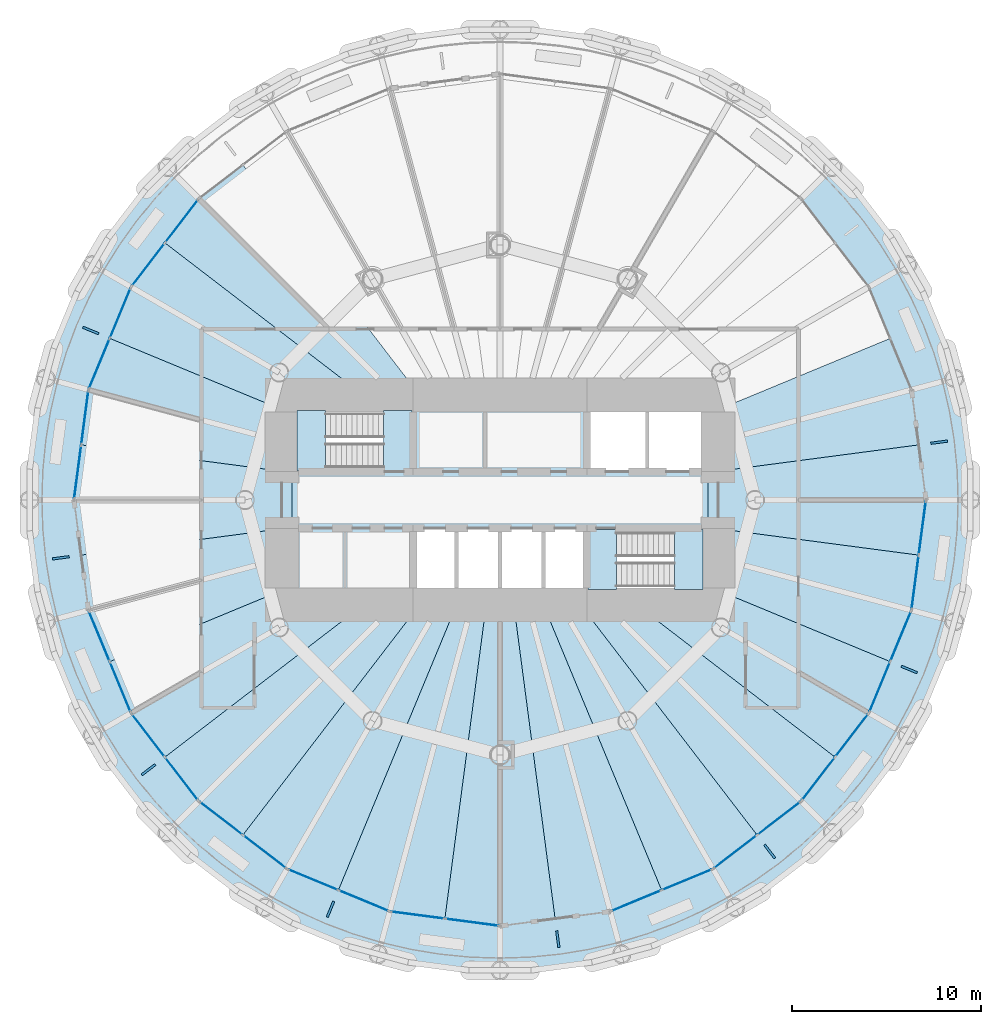
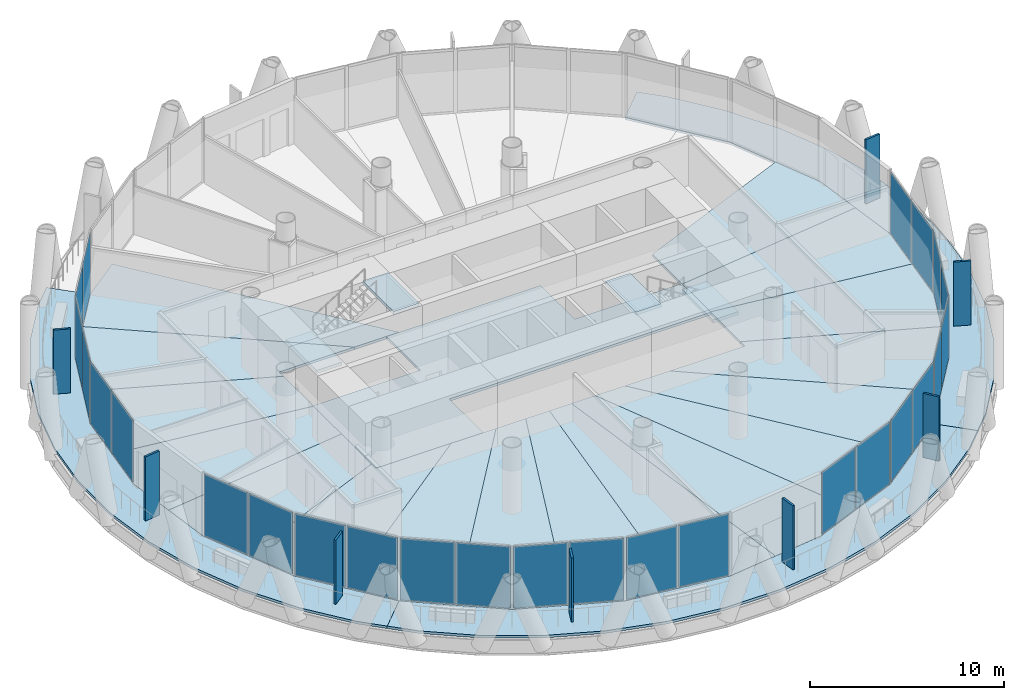
# One storey, part 8 of 16: 34 plates, 25 slabs, 15 elements without a shape of their own.
"""IFC4 building model written with IfcOpenShell, lengths in metres."""

from ifc_helpers import new_model, si_unit, direction, frame, origin, origin_2d, place, context, subcontext, project, spatial, polyline, rectangle, outline, extrude, material, layer, layer_set, type_object, element, aggregate, save


model = new_model("IFC4")

# Units and contexts
model_context = context("Model", 3, precision=1e-05, world=origin(), true_north=direction((0.0, 1.0)))
body_context = subcontext(model_context, "Body", "Model", "MODEL_VIEW")
ifc_project = project(units=[si_unit("LENGTHUNIT", "METRE"), si_unit("AREAUNIT", "SQUARE_METRE"), si_unit("VOLUMEUNIT", "CUBIC_METRE"), si_unit("PLANEANGLEUNIT", "RADIAN"), si_unit("MASSUNIT", "GRAM", prefix="KILO")], contexts=[model_context])

# Site, building, storey
site_placement = place(None, origin())
site = spatial("IfcSite", under=ifc_project, at=site_placement, CompositionType="ELEMENT")
building_placement = place(site_placement, origin())
building = spatial("IfcBuilding", under=site, at=building_placement, Name="Qaws Media Tower", CompositionType="ELEMENT")
storey_placement = place(building_placement, frame((0.0, 0.0, 139.39990234375)))
storey = spatial("IfcBuildingStorey", under=building, at=storey_placement, Name="L31", CompositionType="ELEMENT", Elevation=139.39990234375)

# Slabs
ifc_material_1 = material(Name="Concrete C35/45", Category="concrete")
ifc_layer_1 = layer(ifc_material_1, 0.159912109375)
ifc_layer_set_1 = layer_set([ifc_layer_1], Name="Composite balcony slab 160")
slab_type_1 = type_object("IfcSlabType", Name="Composite balcony slab 160", PredefinedType="FLOOR", material=ifc_layer_set_1)
slab_1_placement = place(storey_placement, frame((0.0, 0.0, -0.159912109375)))
element("IfcSlab", 1, at=slab_1_placement, inside=storey, type_object=slab_type_1, Name="S2 balcony slab L31 R10 to R16, movement joints on R10 and R16", PredefinedType="FLOOR", context=body_context, shape_type="SweptSolid", body=[
    extrude(outline(polyline([(41.24169921875, 33.54931640625), (39.2548828125, 36.138427734375), (37.623046875, 38.96484375), (36.3740234375, 41.97998046875), (35.529296875, 45.132568359375), (35.103515625, 48.3681640625), (35.103515625, 51.6318359375), (35.529296875, 54.867431640625), (36.3740234375, 58.02001953125), (37.623046875, 61.03515625), (39.2548828125, 63.861572265625), (41.24169921875, 66.45068359375), (42.3955078125, 67.6044921875), (44.0546875, 65.9453125), (40.47119140625, 61.27490234375), (38.218505859375, 55.83642578125), (37.449951171875, 50.0), (38.218505859375, 44.16357421875), (40.47119140625, 38.72509765625), (44.0546875, 34.0546875), (42.3955078125, 32.3955078125), (41.24169921875, 33.54931640625)])), origin(), (0.0, 0.0, 1.0), 0.159912109375),
])
slab_2_placement = place(storey_placement, frame((0.0, 0.0, -0.159912109375)))
element("IfcSlab", 2, at=slab_2_placement, inside=storey, type_object=slab_type_1, Name="S2 balcony slab L31 R16 to R22, movement joints on R16 and R22", PredefinedType="FLOOR", context=body_context, shape_type="SweptSolid", body=[
    extrude(outline(polyline([(76.45068359375, 31.24169921875), (73.861572265625, 29.2548828125), (71.03515625, 27.623046875), (68.02001953125, 26.3740234375), (64.867431640625, 25.529296875), (61.6318359375, 25.103515625), (58.3681640625, 25.103515625), (55.132568359375, 25.529296875), (51.97998046875, 26.3740234375), (48.96484375, 27.623046875), (46.138427734375, 29.2548828125), (43.54931640625, 31.24169921875), (42.3955078125, 32.3955078125), (44.0546875, 34.0546875), (48.72509765625, 30.47119140625), (54.16357421875, 28.218505859375), (60.0, 27.449951171875), (65.83642578125, 28.218505859375), (71.27490234375, 30.47119140625), (75.9453125, 34.0546875), (77.6044921875, 32.3955078125), (76.45068359375, 31.24169921875)])), origin(), (0.0, 0.0, 1.0), 0.159912109375),
])
slab_3_placement = place(storey_placement, frame((0.0, 0.0, -0.159912109375)))
element("IfcSlab", 3, at=slab_3_placement, inside=storey, type_object=slab_type_1, Name="S2 balcony slab L31 R22 to R04, movement joints on R22 and R04", PredefinedType="FLOOR", context=body_context, shape_type="SweptSolid", body=[
    extrude(outline(polyline([(84.470703125, 45.132568359375), (83.6259765625, 41.97998046875), (82.376953125, 38.96484375), (80.7451171875, 36.138427734375), (78.75830078125, 33.54931640625), (77.6044921875, 32.3955078125), (75.9453125, 34.0546875), (79.52880859375, 38.72509765625), (81.781494140625, 44.16357421875), (82.550048828125, 50.0), (81.781494140625, 55.83642578125), (79.52880859375, 61.27490234375), (75.9453125, 65.9453125), (77.6044921875, 67.6044921875), (78.75830078125, 66.45068359375), (80.7451171875, 63.861572265625), (82.376953125, 61.03515625), (83.6259765625, 58.02001953125), (84.470703125, 54.867431640625), (84.896484375, 51.6318359375), (84.896484375, 48.3681640625), (84.470703125, 45.132568359375)])), origin(), (0.0, 0.0, 1.0), 0.159912109375),
])
ifc_material_2 = material(Name="Concrete C35/45", Category="concrete")
ifc_layer_2 = layer(ifc_material_2, 0.159912109375)
ifc_layer_set_2 = layer_set([ifc_layer_2], Name="Composite floor slab 160")
slab_type_2 = type_object("IfcSlabType", Name="Composite floor slab 160", PredefinedType="FLOOR", material=ifc_layer_set_2)
slab_4_placement = place(storey_placement, frame((0.0, 0.0, -0.159912109375)))
element("IfcSlab", 4, at=slab_4_placement, inside=storey, type_object=slab_type_2, Name="S1 core floor slab L31", PredefinedType="FLOOR", context=body_context, shape_type="SweptSolid", body=[
    extrude(outline(polyline([(71.0, 51.5), (71.0, 48.5), (55.39990234375, 48.5), (55.39990234375, 45.0), (49.0, 45.0), (49.0, 51.5), (55.39990234375, 51.5), (55.39990234375, 55.0), (64.60009765625, 55.0), (64.60009765625, 51.5), (71.0, 51.5)])), origin(), (0.0, 0.0, 1.0), 0.159912109375),
])
slab_5_placement = place(storey_placement, frame((0.0, 0.0, -0.159912109375)))
element("IfcSlab", 5, at=slab_5_placement, inside=storey, type_object=slab_type_2, Name="S1 floor panel L31 on R01", PredefinedType="FLOOR", context=body_context, shape_type="SweptSolid", body=[
    extrude(outline(polyline([(82.550048828125, 50.0), (82.165771484375, 47.081787109375), (71.0, 48.5517578125), (71.0, 51.4482421875), (82.165771484375, 52.918212890625), (82.550048828125, 50.0)])), origin(), (0.0, 0.0, 1.0), 0.159912109375),
])
slab_6_placement = place(storey_placement, frame((0.0, 0.0, -0.159912109375)))
element("IfcSlab", 6, at=slab_6_placement, inside=storey, type_object=slab_type_2, Name="S1 floor panel L31 on R02", PredefinedType="FLOOR", context=body_context, shape_type="SweptSolid", body=[
    extrude(outline(polyline([(81.781494140625, 55.83642578125), (82.165771484375, 52.918212890625), (71.0, 51.4482421875), (71.0, 54.556396484375), (80.6552734375, 58.5556640625), (81.781494140625, 55.83642578125)])), origin(), (0.0, 0.0, 1.0), 0.159912109375),
])
slab_7_placement = place(storey_placement, frame((0.0, 0.0, -0.159912109375)))
element("IfcSlab", 7, at=slab_7_placement, inside=storey, type_object=slab_type_2, Name="S1 floor panel L31 on R10", PredefinedType="FLOOR", context=body_context, shape_type="SweptSolid", body=[
    extrude(outline(polyline([(44.0546875, 65.9453125), (46.389892578125, 67.737060546875), (56.163330078125, 55.0), (53.48388671875, 55.0), (42.262939453125, 63.610107421875), (44.0546875, 65.9453125)])), origin(), (0.0, 0.0, 1.0), 0.159912109375),
])
slab_8_placement = place(storey_placement, frame((0.0, 0.0, -0.159912109375)))
element("IfcSlab", 8, at=slab_8_placement, inside=storey, type_object=slab_type_2, Name="S1 floor panel L31 on R11", PredefinedType="FLOOR", context=body_context, shape_type="SweptSolid", body=[
    extrude(outline(polyline([(40.47119140625, 61.27490234375), (42.262939453125, 63.610107421875), (53.48388671875, 55.0), (49.0, 55.0), (49.0, 54.556396484375), (39.3447265625, 58.5556640625), (40.47119140625, 61.27490234375)])), origin(), (0.0, 0.0, 1.0), 0.159912109375),
])
slab_9_placement = place(storey_placement, frame((0.0, 0.0, -0.159912109375)))
element("IfcSlab", 9, at=slab_9_placement, inside=storey, type_object=slab_type_2, Name="S1 floor panel L31 on R12", PredefinedType="FLOOR", context=body_context, shape_type="SweptSolid", body=[
    extrude(outline(polyline([(38.218505859375, 55.83642578125), (39.3447265625, 58.5556640625), (49.0, 54.556396484375), (49.0, 51.4482421875), (37.834228515625, 52.918212890625), (38.218505859375, 55.83642578125)])), origin(), (0.0, 0.0, 1.0), 0.159912109375),
])
slab_10_placement = place(storey_placement, frame((0.0, 0.0, -0.159912109375)))
element("IfcSlab", 10, at=slab_10_placement, inside=storey, type_object=slab_type_2, Name="S1 floor panel L31 on R13", PredefinedType="FLOOR", context=body_context, shape_type="SweptSolid", body=[
    extrude(outline(polyline([(37.449951171875, 50.0), (37.834228515625, 52.918212890625), (49.0, 51.4482421875), (49.0, 48.5517578125), (37.834228515625, 47.081787109375), (37.449951171875, 50.0)])), origin(), (0.0, 0.0, 1.0), 0.159912109375),
])
slab_11_placement = place(storey_placement, frame((0.0, 0.0, -0.159912109375)))
element("IfcSlab", 11, at=slab_11_placement, inside=storey, type_object=slab_type_2, Name="S1 floor panel L31 on R14", PredefinedType="FLOOR", context=body_context, shape_type="SweptSolid", body=[
    extrude(outline(polyline([(38.218505859375, 44.16357421875), (37.834228515625, 47.081787109375), (49.0, 48.5517578125), (49.0, 45.443603515625), (39.3447265625, 41.4443359375), (38.218505859375, 44.16357421875)])), origin(), (0.0, 0.0, 1.0), 0.159912109375),
])
slab_12_placement = place(storey_placement, frame((0.0, 0.0, -0.159912109375)))
element("IfcSlab", 12, at=slab_12_placement, inside=storey, type_object=slab_type_2, Name="S1 floor panel L31 on R15", PredefinedType="FLOOR", context=body_context, shape_type="SweptSolid", body=[
    extrude(outline(polyline([(40.47119140625, 38.72509765625), (39.3447265625, 41.4443359375), (49.0, 45.443603515625), (49.0, 45.0), (53.48388671875, 45.0), (42.262939453125, 36.389892578125), (40.47119140625, 38.72509765625)])), origin(), (0.0, 0.0, 1.0), 0.159912109375),
])
slab_13_placement = place(storey_placement, frame((0.0, 0.0, -0.159912109375)))
element("IfcSlab", 13, at=slab_13_placement, inside=storey, type_object=slab_type_2, Name="S1 floor panel L31 on R16", PredefinedType="FLOOR", context=body_context, shape_type="SweptSolid", body=[
    extrude(outline(polyline([(44.0546875, 34.0546875), (42.262939453125, 36.389892578125), (53.48388671875, 45.0), (56.163330078125, 45.0), (46.389892578125, 32.262939453125), (44.0546875, 34.0546875)])), origin(), (0.0, 0.0, 1.0), 0.159912109375),
])
slab_14_placement = place(storey_placement, frame((0.0, 0.0, -0.159912109375)))
element("IfcSlab", 14, at=slab_14_placement, inside=storey, type_object=slab_type_2, Name="S1 floor panel L31 on R17", PredefinedType="FLOOR", context=body_context, shape_type="SweptSolid", body=[
    extrude(outline(polyline([(48.72509765625, 30.47119140625), (46.389892578125, 32.262939453125), (56.163330078125, 45.0), (57.928955078125, 45.0), (51.4443359375, 29.3447265625), (48.72509765625, 30.47119140625)])), origin(), (0.0, 0.0, 1.0), 0.159912109375),
])
slab_15_placement = place(storey_placement, frame((0.0, 0.0, -0.159912109375)))
element("IfcSlab", 15, at=slab_15_placement, inside=storey, type_object=slab_type_2, Name="S1 floor panel L31 on R18", PredefinedType="FLOOR", context=body_context, shape_type="SweptSolid", body=[
    extrude(outline(polyline([(54.16357421875, 28.218505859375), (51.4443359375, 29.3447265625), (57.928955078125, 45.0), (59.341796875, 45.0), (57.081787109375, 27.834228515625), (54.16357421875, 28.218505859375)])), origin(), (0.0, 0.0, 1.0), 0.159912109375),
])
slab_16_placement = place(storey_placement, frame((0.0, 0.0, -0.159912109375)))
element("IfcSlab", 16, at=slab_16_placement, inside=storey, type_object=slab_type_2, Name="S1 floor panel L31 on R19", PredefinedType="FLOOR", context=body_context, shape_type="SweptSolid", body=[
    extrude(outline(polyline([(60.0, 27.449951171875), (57.081787109375, 27.834228515625), (59.341796875, 45.0), (60.658203125, 45.0), (62.918212890625, 27.834228515625), (60.0, 27.449951171875)])), origin(), (0.0, 0.0, 1.0), 0.159912109375),
])
slab_17_placement = place(storey_placement, frame((0.0, 0.0, -0.159912109375)))
element("IfcSlab", 17, at=slab_17_placement, inside=storey, type_object=slab_type_2, Name="S1 floor panel L31 on R20", PredefinedType="FLOOR", context=body_context, shape_type="SweptSolid", body=[
    extrude(outline(polyline([(65.83642578125, 28.218505859375), (62.918212890625, 27.834228515625), (60.658203125, 45.0), (62.071044921875, 45.0), (68.5556640625, 29.3447265625), (65.83642578125, 28.218505859375)])), origin(), (0.0, 0.0, 1.0), 0.159912109375),
])
slab_18_placement = place(storey_placement, frame((0.0, 0.0, -0.159912109375)))
element("IfcSlab", 18, at=slab_18_placement, inside=storey, type_object=slab_type_2, Name="S1 floor panel L31 on R21", PredefinedType="FLOOR", context=body_context, shape_type="SweptSolid", body=[
    extrude(outline(polyline([(71.27490234375, 30.47119140625), (68.5556640625, 29.3447265625), (62.071044921875, 45.0), (63.836669921875, 45.0), (73.610107421875, 32.262939453125), (71.27490234375, 30.47119140625)])), origin(), (0.0, 0.0, 1.0), 0.159912109375),
])
slab_19_placement = place(storey_placement, frame((0.0, 0.0, -0.159912109375)))
element("IfcSlab", 19, at=slab_19_placement, inside=storey, type_object=slab_type_2, Name="S1 floor panel L31 on R22", PredefinedType="FLOOR", context=body_context, shape_type="SweptSolid", body=[
    extrude(outline(polyline([(75.9453125, 34.0546875), (73.610107421875, 32.262939453125), (63.836669921875, 45.0), (66.51611328125, 45.0), (77.737060546875, 36.389892578125), (75.9453125, 34.0546875)])), origin(), (0.0, 0.0, 1.0), 0.159912109375),
])
slab_20_placement = place(storey_placement, frame((0.0, 0.0, -0.159912109375)))
element("IfcSlab", 20, at=slab_20_placement, inside=storey, type_object=slab_type_2, Name="S1 floor panel L31 on R23", PredefinedType="FLOOR", context=body_context, shape_type="SweptSolid", body=[
    extrude(outline(polyline([(79.52880859375, 38.72509765625), (77.737060546875, 36.389892578125), (66.51611328125, 45.0), (71.0, 45.0), (71.0, 45.443603515625), (80.6552734375, 41.4443359375), (79.52880859375, 38.72509765625)])), origin(), (0.0, 0.0, 1.0), 0.159912109375),
])
slab_21_placement = place(storey_placement, frame((0.0, 0.0, -0.159912109375)))
element("IfcSlab", 21, at=slab_21_placement, inside=storey, type_object=slab_type_2, Name="S1 floor panel L31 on R24", PredefinedType="FLOOR", context=body_context, shape_type="SweptSolid", body=[
    extrude(outline(polyline([(80.6552734375, 41.4443359375), (71.0, 45.443603515625), (71.0, 48.5517578125), (82.165771484375, 47.081787109375), (81.781494140625, 44.16357421875), (80.6552734375, 41.4443359375)])), origin(), (0.0, 0.0, 1.0), 0.159912109375),
])

# Curtain wall, plates
ifc_material_3 = material(Name="Aluminium and clear glass", Category="aluminium")
curtain_wall_type = type_object("IfcCurtainWallType", Name="Unitised curtain wall CW-B", PredefinedType="NOTDEFINED", material=ifc_material_3)
curtain_wall_1_placement = place(storey_placement, origin())
curtain_wall_1 = element("IfcCurtainWall", 22, at=curtain_wall_1_placement, inside=storey, type_object=curtain_wall_type, Name="CWB curtain wall L31-10", PredefinedType="NOTDEFINED")
ifc_material_4 = material(Name="Clear laminated double glazing", Category="glass")
ifc_layer_3 = layer(ifc_material_4, 0.031982421875)
ifc_layer_set_3 = layer_set([ifc_layer_3], Name="Curtain wall glass unit 32")
plate_type_1 = type_object("IfcPlateType", Name="Curtain wall glass unit 32", PredefinedType="CURTAIN_PANEL", material=ifc_layer_set_3)
plate_1_placement = place(storey_placement, frame((43.146728515625, 64.76171875, 0.080078125), z_axis=(0.0, 0.0, 1.0), x_axis=(-0.608761428552, -0.793353340642, 0.0)))
plate_1 = element("IfcPlate", 23, at=plate_1_placement, type_object=plate_type_1, Name="CWB panel 1.1", PredefinedType="CURTAIN_PANEL", context=body_context, shape_type="SweptSolid", body=[
    extrude(rectangle(XDim=2.823486328125, YDim=0.031982421875, at=origin_2d()), origin(), (0.0, 0.0, 1.0), 3.8798828125),
])
plate_2_placement = place(storey_placement, frame((41.379150390625, 62.45849609375, 0.080078125), z_axis=(0.0, 0.0, 1.0), x_axis=(-0.608761428552, -0.793353340642, 0.0)))
plate_2 = element("IfcPlate", 24, at=plate_2_placement, type_object=plate_type_1, Name="CWB panel 2.1", PredefinedType="CURTAIN_PANEL", context=body_context, shape_type="SweptSolid", body=[
    extrude(rectangle(XDim=2.823486328125, YDim=0.031982421875, at=origin_2d()), origin(), (0.0, 0.0, 1.0), 3.8798828125),
])
aggregate(curtain_wall_1, [plate_1, plate_2])

curtain_wall_2_placement = place(storey_placement, origin())
curtain_wall_2 = element("IfcCurtainWall", 25, at=curtain_wall_2_placement, inside=storey, type_object=curtain_wall_type, Name="CWB curtain wall L31-11", PredefinedType="NOTDEFINED")
plate_3_placement = place(storey_placement, frame((39.900390625, 59.89697265625, 0.080078125), z_axis=(0.0, 0.0, 1.0), x_axis=(-0.382683327828, -0.923879575812, 0.0)))
plate_3 = element("IfcPlate", 26, at=plate_3_placement, type_object=plate_type_1, Name="CWB panel 1.1", PredefinedType="CURTAIN_PANEL", context=body_context, shape_type="SweptSolid", body=[
    extrude(rectangle(XDim=2.823486328125, YDim=0.031982421875, at=origin_2d()), origin(), (0.0, 0.0, 1.0), 3.8798828125),
])
plate_4_placement = place(storey_placement, frame((38.789306640625, 57.214599609375, 0.080078125), z_axis=(0.0, 0.0, 1.0), x_axis=(-0.382683327828, -0.923879575812, 0.0)))
plate_4 = element("IfcPlate", 27, at=plate_4_placement, type_object=plate_type_1, Name="CWB panel 2.1", PredefinedType="CURTAIN_PANEL", context=body_context, shape_type="SweptSolid", body=[
    extrude(rectangle(XDim=2.823486328125, YDim=0.031982421875, at=origin_2d()), origin(), (0.0, 0.0, 1.0), 3.8798828125),
])
aggregate(curtain_wall_2, [plate_3, plate_4])

curtain_wall_3_placement = place(storey_placement, origin())
curtain_wall_3 = element("IfcCurtainWall", 28, at=curtain_wall_3_placement, inside=storey, type_object=curtain_wall_type, Name="CWB curtain wall L31-12", PredefinedType="NOTDEFINED")
plate_5_placement = place(storey_placement, frame((38.023681640625, 54.357421875, 0.080078125), z_axis=(0.0, 0.0, 1.0), x_axis=(-0.130526266402, -0.991444851608, 0.0)))
plate_5 = element("IfcPlate", 29, at=plate_5_placement, type_object=plate_type_1, Name="CWB panel 1.1", PredefinedType="CURTAIN_PANEL", context=body_context, shape_type="SweptSolid", body=[
    extrude(rectangle(XDim=2.823486328125, YDim=0.031982421875, at=origin_2d()), origin(), (0.0, 0.0, 1.0), 3.8798828125),
])
plate_6_placement = place(storey_placement, frame((37.644775390625, 51.47900390625, 0.080078125), z_axis=(0.0, 0.0, 1.0), x_axis=(-0.130526266402, -0.991444851608, 0.0)))
plate_6 = element("IfcPlate", 30, at=plate_6_placement, type_object=plate_type_1, Name="CWB panel 2.1", PredefinedType="CURTAIN_PANEL", context=body_context, shape_type="SweptSolid", body=[
    extrude(rectangle(XDim=2.823486328125, YDim=0.031982421875, at=origin_2d()), origin(), (0.0, 0.0, 1.0), 3.8798828125),
])
aggregate(curtain_wall_3, [plate_5, plate_6])

curtain_wall_4_placement = place(storey_placement, origin())
curtain_wall_4 = element("IfcCurtainWall", 31, at=curtain_wall_4_placement, inside=storey, type_object=curtain_wall_type, Name="CWB curtain wall L31-14", PredefinedType="NOTDEFINED")
plate_7_placement = place(storey_placement, frame((38.789306640625, 42.785400390625, 0.080078125), z_axis=(0.0, 0.0, 1.0), x_axis=(0.382683327828, -0.923879575812, 0.0)))
plate_7 = element("IfcPlate", 32, at=plate_7_placement, type_object=plate_type_1, Name="CWB panel 1.1", PredefinedType="CURTAIN_PANEL", context=body_context, shape_type="SweptSolid", body=[
    extrude(rectangle(XDim=2.823486328125, YDim=0.031982421875, at=origin_2d()), origin(), (0.0, 0.0, 1.0), 3.8798828125),
])
plate_8_placement = place(storey_placement, frame((39.900390625, 40.10302734375, 0.080078125), z_axis=(0.0, 0.0, 1.0), x_axis=(0.382683327828, -0.923879575812, 0.0)))
plate_8 = element("IfcPlate", 33, at=plate_8_placement, type_object=plate_type_1, Name="CWB panel 2.1", PredefinedType="CURTAIN_PANEL", context=body_context, shape_type="SweptSolid", body=[
    extrude(rectangle(XDim=2.823486328125, YDim=0.031982421875, at=origin_2d()), origin(), (0.0, 0.0, 1.0), 3.8798828125),
])
aggregate(curtain_wall_4, [plate_7, plate_8])

curtain_wall_5_placement = place(storey_placement, origin())
curtain_wall_5 = element("IfcCurtainWall", 34, at=curtain_wall_5_placement, inside=storey, type_object=curtain_wall_type, Name="CWB curtain wall L31-15", PredefinedType="NOTDEFINED")
plate_9_placement = place(storey_placement, frame((41.379150390625, 37.54150390625, 0.080078125), z_axis=(0.0, 0.0, 1.0), x_axis=(0.608761428552, -0.793353340642, 0.0)))
plate_9 = element("IfcPlate", 35, at=plate_9_placement, type_object=plate_type_1, Name="CWB panel 1.1", PredefinedType="CURTAIN_PANEL", context=body_context, shape_type="SweptSolid", body=[
    extrude(rectangle(XDim=2.823486328125, YDim=0.031982421875, at=origin_2d()), origin(), (0.0, 0.0, 1.0), 3.8798828125),
])
plate_10_placement = place(storey_placement, frame((43.146728515625, 35.23828125, 0.080078125), z_axis=(0.0, 0.0, 1.0), x_axis=(0.608761428552, -0.793353340642, 0.0)))
plate_10 = element("IfcPlate", 36, at=plate_10_placement, type_object=plate_type_1, Name="CWB panel 2.1", PredefinedType="CURTAIN_PANEL", context=body_context, shape_type="SweptSolid", body=[
    extrude(rectangle(XDim=2.823486328125, YDim=0.031982421875, at=origin_2d()), origin(), (0.0, 0.0, 1.0), 3.8798828125),
])
aggregate(curtain_wall_5, [plate_9, plate_10])

curtain_wall_6_placement = place(storey_placement, origin())
curtain_wall_6 = element("IfcCurtainWall", 37, at=curtain_wall_6_placement, inside=storey, type_object=curtain_wall_type, Name="CWB curtain wall L31-16", PredefinedType="NOTDEFINED")
plate_11_placement = place(storey_placement, frame((45.23828125, 33.146728515625, 0.080078125), z_axis=(0.0, 0.0, 1.0), x_axis=(0.793353340642, -0.608761428552, 0.0)))
plate_11 = element("IfcPlate", 38, at=plate_11_placement, type_object=plate_type_1, Name="CWB panel 1.1", PredefinedType="CURTAIN_PANEL", context=body_context, shape_type="SweptSolid", body=[
    extrude(rectangle(XDim=2.823486328125, YDim=0.031982421875, at=origin_2d()), origin(), (0.0, 0.0, 1.0), 3.8798828125),
])
plate_12_placement = place(storey_placement, frame((47.54150390625, 31.379150390625, 0.080078125), z_axis=(0.0, 0.0, 1.0), x_axis=(0.793353340642, -0.608761428552, 0.0)))
plate_12 = element("IfcPlate", 39, at=plate_12_placement, type_object=plate_type_1, Name="CWB panel 2.1", PredefinedType="CURTAIN_PANEL", context=body_context, shape_type="SweptSolid", body=[
    extrude(rectangle(XDim=2.823486328125, YDim=0.031982421875, at=origin_2d()), origin(), (0.0, 0.0, 1.0), 3.8798828125),
])
aggregate(curtain_wall_6, [plate_11, plate_12])

curtain_wall_7_placement = place(storey_placement, origin())
curtain_wall_7 = element("IfcCurtainWall", 40, at=curtain_wall_7_placement, inside=storey, type_object=curtain_wall_type, Name="CWB curtain wall L31-17", PredefinedType="NOTDEFINED")
plate_13_placement = place(storey_placement, frame((50.10302734375, 29.900390625, 0.080078125), z_axis=(0.0, 0.0, 1.0), x_axis=(0.923879575812, -0.382683327828, 0.0)))
plate_13 = element("IfcPlate", 41, at=plate_13_placement, type_object=plate_type_1, Name="CWB panel 1.1", PredefinedType="CURTAIN_PANEL", context=body_context, shape_type="SweptSolid", body=[
    extrude(rectangle(XDim=2.823486328125, YDim=0.031982421875, at=origin_2d()), origin(), (0.0, 0.0, 1.0), 3.8798828125),
])
plate_14_placement = place(storey_placement, frame((52.785400390625, 28.789306640625, 0.080078125), z_axis=(0.0, 0.0, 1.0), x_axis=(0.923879575812, -0.382683327828, 0.0)))
plate_14 = element("IfcPlate", 42, at=plate_14_placement, type_object=plate_type_1, Name="CWB panel 2.1", PredefinedType="CURTAIN_PANEL", context=body_context, shape_type="SweptSolid", body=[
    extrude(rectangle(XDim=2.823486328125, YDim=0.031982421875, at=origin_2d()), origin(), (0.0, 0.0, 1.0), 3.8798828125),
])
aggregate(curtain_wall_7, [plate_13, plate_14])

curtain_wall_8_placement = place(storey_placement, origin())
curtain_wall_8 = element("IfcCurtainWall", 43, at=curtain_wall_8_placement, inside=storey, type_object=curtain_wall_type, Name="CWB curtain wall L31-18", PredefinedType="NOTDEFINED")
plate_15_placement = place(storey_placement, frame((55.642578125, 28.023681640625, 0.080078125), z_axis=(0.0, 0.0, 1.0), x_axis=(0.991444851608, -0.130526266402, 0.0)))
plate_15 = element("IfcPlate", 44, at=plate_15_placement, type_object=plate_type_1, Name="CWB panel 1.1", PredefinedType="CURTAIN_PANEL", context=body_context, shape_type="SweptSolid", body=[
    extrude(rectangle(XDim=2.823486328125, YDim=0.031982421875, at=origin_2d()), origin(), (0.0, 0.0, 1.0), 3.8798828125),
])
plate_16_placement = place(storey_placement, frame((58.52099609375, 27.644775390625, 0.080078125), z_axis=(0.0, 0.0, 1.0), x_axis=(0.991444851608, -0.130526266402, 0.0)))
plate_16 = element("IfcPlate", 45, at=plate_16_placement, type_object=plate_type_1, Name="CWB panel 2.1", PredefinedType="CURTAIN_PANEL", context=body_context, shape_type="SweptSolid", body=[
    extrude(rectangle(XDim=2.823486328125, YDim=0.031982421875, at=origin_2d()), origin(), (0.0, 0.0, 1.0), 3.8798828125),
])
aggregate(curtain_wall_8, [plate_15, plate_16])

curtain_wall_9_placement = place(storey_placement, origin())
curtain_wall_9 = element("IfcCurtainWall", 46, at=curtain_wall_9_placement, inside=storey, type_object=curtain_wall_type, Name="CWB curtain wall L31-20", PredefinedType="NOTDEFINED")
plate_17_placement = place(storey_placement, frame((67.214599609375, 28.789306640625, 0.080078125), z_axis=(0.0, 0.0, 1.0), x_axis=(0.923879575812, 0.382683327828, 0.0)))
plate_17 = element("IfcPlate", 47, at=plate_17_placement, type_object=plate_type_1, Name="CWB panel 1.1", PredefinedType="CURTAIN_PANEL", context=body_context, shape_type="SweptSolid", body=[
    extrude(rectangle(XDim=2.823486328125, YDim=0.031982421875, at=origin_2d()), origin(), (0.0, 0.0, 1.0), 3.8798828125),
])
plate_18_placement = place(storey_placement, frame((69.89697265625, 29.900390625, 0.080078125), z_axis=(0.0, 0.0, 1.0), x_axis=(0.923879575812, 0.382683327828, 0.0)))
plate_18 = element("IfcPlate", 48, at=plate_18_placement, type_object=plate_type_1, Name="CWB panel 2.1", PredefinedType="CURTAIN_PANEL", context=body_context, shape_type="SweptSolid", body=[
    extrude(rectangle(XDim=2.823486328125, YDim=0.031982421875, at=origin_2d()), origin(), (0.0, 0.0, 1.0), 3.8798828125),
])
aggregate(curtain_wall_9, [plate_17, plate_18])

curtain_wall_10_placement = place(storey_placement, origin())
curtain_wall_10 = element("IfcCurtainWall", 49, at=curtain_wall_10_placement, inside=storey, type_object=curtain_wall_type, Name="CWB curtain wall L31-21", PredefinedType="NOTDEFINED")
plate_19_placement = place(storey_placement, frame((72.45849609375, 31.379150390625, 0.080078125), z_axis=(0.0, 0.0, 1.0), x_axis=(0.793353340642, 0.608761428552, 0.0)))
plate_19 = element("IfcPlate", 50, at=plate_19_placement, type_object=plate_type_1, Name="CWB panel 1.1", PredefinedType="CURTAIN_PANEL", context=body_context, shape_type="SweptSolid", body=[
    extrude(rectangle(XDim=2.823486328125, YDim=0.031982421875, at=origin_2d()), origin(), (0.0, 0.0, 1.0), 3.8798828125),
])
plate_20_placement = place(storey_placement, frame((74.76171875, 33.146728515625, 0.080078125), z_axis=(0.0, 0.0, 1.0), x_axis=(0.793353340642, 0.608761428552, 0.0)))
plate_20 = element("IfcPlate", 51, at=plate_20_placement, type_object=plate_type_1, Name="CWB panel 2.1", PredefinedType="CURTAIN_PANEL", context=body_context, shape_type="SweptSolid", body=[
    extrude(rectangle(XDim=2.823486328125, YDim=0.031982421875, at=origin_2d()), origin(), (0.0, 0.0, 1.0), 3.8798828125),
])
aggregate(curtain_wall_10, [plate_19, plate_20])

curtain_wall_11_placement = place(storey_placement, origin())
curtain_wall_11 = element("IfcCurtainWall", 52, at=curtain_wall_11_placement, inside=storey, type_object=curtain_wall_type, Name="CWB curtain wall L31-22", PredefinedType="NOTDEFINED")
plate_21_placement = place(storey_placement, frame((76.853271484375, 35.23828125, 0.080078125), z_axis=(0.0, 0.0, 1.0), x_axis=(0.608761428552, 0.793353340642, 0.0)))
plate_21 = element("IfcPlate", 53, at=plate_21_placement, type_object=plate_type_1, Name="CWB panel 1.1", PredefinedType="CURTAIN_PANEL", context=body_context, shape_type="SweptSolid", body=[
    extrude(rectangle(XDim=2.823486328125, YDim=0.031982421875, at=origin_2d()), origin(), (0.0, 0.0, 1.0), 3.8798828125),
])
plate_22_placement = place(storey_placement, frame((78.620849609375, 37.54150390625, 0.080078125), z_axis=(0.0, 0.0, 1.0), x_axis=(0.608761428552, 0.793353340642, 0.0)))
plate_22 = element("IfcPlate", 54, at=plate_22_placement, type_object=plate_type_1, Name="CWB panel 2.1", PredefinedType="CURTAIN_PANEL", context=body_context, shape_type="SweptSolid", body=[
    extrude(rectangle(XDim=2.823486328125, YDim=0.031982421875, at=origin_2d()), origin(), (0.0, 0.0, 1.0), 3.8798828125),
])
aggregate(curtain_wall_11, [plate_21, plate_22])

curtain_wall_12_placement = place(storey_placement, origin())
curtain_wall_12 = element("IfcCurtainWall", 55, at=curtain_wall_12_placement, inside=storey, type_object=curtain_wall_type, Name="CWB curtain wall L31-23", PredefinedType="NOTDEFINED")
plate_23_placement = place(storey_placement, frame((80.099609375, 40.10302734375, 0.080078125), z_axis=(0.0, 0.0, 1.0), x_axis=(0.382683327828, 0.923879575812, 0.0)))
plate_23 = element("IfcPlate", 56, at=plate_23_placement, type_object=plate_type_1, Name="CWB panel 1.1", PredefinedType="CURTAIN_PANEL", context=body_context, shape_type="SweptSolid", body=[
    extrude(rectangle(XDim=2.823486328125, YDim=0.031982421875, at=origin_2d()), origin(), (0.0, 0.0, 1.0), 3.8798828125),
])
plate_24_placement = place(storey_placement, frame((81.210693359375, 42.785400390625, 0.080078125), z_axis=(0.0, 0.0, 1.0), x_axis=(0.382683327828, 0.923879575812, 0.0)))
plate_24 = element("IfcPlate", 57, at=plate_24_placement, type_object=plate_type_1, Name="CWB panel 2.1", PredefinedType="CURTAIN_PANEL", context=body_context, shape_type="SweptSolid", body=[
    extrude(rectangle(XDim=2.823486328125, YDim=0.031982421875, at=origin_2d()), origin(), (0.0, 0.0, 1.0), 3.8798828125),
])
aggregate(curtain_wall_12, [plate_23, plate_24])

curtain_wall_13_placement = place(storey_placement, origin())
curtain_wall_13 = element("IfcCurtainWall", 58, at=curtain_wall_13_placement, inside=storey, type_object=curtain_wall_type, Name="CWB curtain wall L31-24", PredefinedType="NOTDEFINED")
plate_25_placement = place(storey_placement, frame((81.976318359375, 45.642578125, 0.080078125), z_axis=(0.0, 0.0, 1.0), x_axis=(0.130526266402, 0.991444851608, 0.0)))
plate_25 = element("IfcPlate", 59, at=plate_25_placement, type_object=plate_type_1, Name="CWB panel 1.1", PredefinedType="CURTAIN_PANEL", context=body_context, shape_type="SweptSolid", body=[
    extrude(rectangle(XDim=2.823486328125, YDim=0.031982421875, at=origin_2d()), origin(), (0.0, 0.0, 1.0), 3.8798828125),
])
plate_26_placement = place(storey_placement, frame((82.355224609375, 48.52099609375, 0.080078125), z_axis=(0.0, 0.0, 1.0), x_axis=(0.130526266402, 0.991444851608, 0.0)))
plate_26 = element("IfcPlate", 60, at=plate_26_placement, type_object=plate_type_1, Name="CWB panel 2.1", PredefinedType="CURTAIN_PANEL", context=body_context, shape_type="SweptSolid", body=[
    extrude(rectangle(XDim=2.823486328125, YDim=0.031982421875, at=origin_2d()), origin(), (0.0, 0.0, 1.0), 3.8798828125),
])
aggregate(curtain_wall_13, [plate_25, plate_26])

# Plates
ifc_material_5 = material(Name="Precast concrete screen fin", Category="concrete")
ifc_layer_4 = layer(ifc_material_5, 0.1201171875)
ifc_layer_set_4 = layer_set([ifc_layer_4], Name="Screen fin 120x900")
plate_type_2 = type_object("IfcPlateType", Name="Screen fin 120x900", PredefinedType="USERDEFINED", material=ifc_layer_set_4)
for number, where, z_axis, x_axis, name in (
    (61, (83.249267578125, 53.060791015625, 0.0), (0.0, 0.0, 1.0), (0.991444861374, 0.13052619222, 0.0), "SCR1 screen fin L31-01"),
    (62, (38.3349609375, 58.973876953125, 0.0), (0.0, 0.0, 1.0), (-0.923879532511, 0.382683432365, 0.0), "SCR1 screen fin L31-06"),
    (63, (36.750732421875, 46.939208984375, 0.0), (0.0, 0.0, 1.0), (-0.991444861374, -0.13052619222, 0.0), "SCR1 screen fin L31-07"),
    (64, (41.395751953125, 35.724609375, 0.0), (0.0, 0.0, 1.0), (-0.793353340291, -0.608761429009, 0.0), "SCR1 screen fin L31-08"),
    (65, (51.026123046875, 28.3349609375, 0.0), (0.0, 0.0, 1.0), (-0.382683432365, -0.923879532511, 0.0), "SCR1 screen fin L31-09"),
    (66, (63.060791015625, 26.750732421875, 0.0), (0.0, 0.0, 1.0), (0.13052619222, -0.991444861374, 0.0), "SCR1 screen fin L31-10"),
    (67, (74.275390625, 31.395751953125, 0.0), (0.0, 0.0, 1.0), (0.608761429009, -0.793353340291, 0.0), "SCR1 screen fin L31-11"),
    (68, (81.6650390625, 41.026123046875, 0.0), (0.0, 0.0, 1.0), (0.923879532511, -0.382683432365, 0.0), "SCR1 screen fin L31-12"),
):
    element("IfcPlate", number, at=place(storey_placement, frame(where, z_axis=z_axis, x_axis=x_axis)), inside=storey, type_object=plate_type_2, Name=name, ObjectType="SCREEN", PredefinedType="USERDEFINED", context=body_context, shape_type="SweptSolid", body=[
        extrude(rectangle(XDim=0.89990234375, YDim=0.1201171875, at=origin_2d()), origin(), (0.0, 0.0, 1.0), 4.0400390625),
    ])

# Stair, slabs
ifc_material_6 = material(Name="Concrete C40/50", Category="concrete")
stair_type = type_object("IfcStairType", Name="Exit stair", PredefinedType="HALF_TURN_STAIR", material=ifc_material_6)
stair_1_placement = place(storey_placement, origin())
stair_1 = element("IfcStair", 69, at=stair_1_placement, inside=storey, type_object=stair_type, Name="S1 exit stair L31", PredefinedType="HALF_TURN_STAIR")
ifc_material_7 = material(Name="Concrete C40/50", Category="concrete")
ifc_layer_5 = layer(ifc_material_7, 0.199951171875)
ifc_layer_set_5 = layer_set([ifc_layer_5], Name="Stair landing 200")
slab_type_3 = type_object("IfcSlabType", Name="Stair landing 200", PredefinedType="LANDING", material=ifc_layer_set_5)
slab_22_placement = place(storey_placement, frame((0.0, 0.0, 1.900146484375)))
slab_22 = element("IfcSlab", 70, at=slab_22_placement, type_object=slab_type_3, Name="S1 landing 1", PredefinedType="LANDING", context=body_context, shape_type="SweptSolid", body=[
    extrude(outline(polyline([(49.25, 51.550048828125), (50.760009765625, 51.550048828125), (50.760009765625, 54.75), (49.25, 54.75), (49.25, 51.550048828125)])), origin(), (0.0, 0.0, 1.0), 0.199951171875),
])
slab_23_placement = place(storey_placement, frame((0.0, 0.0, 4.0)))
slab_23 = element("IfcSlab", 71, at=slab_23_placement, type_object=slab_type_3, Name="S1 landing 2", PredefinedType="LANDING", context=body_context, shape_type="SweptSolid", body=[
    extrude(outline(polyline([(53.840087890625, 51.550048828125), (55.35009765625, 51.550048828125), (55.35009765625, 54.75), (53.840087890625, 54.75), (53.840087890625, 51.550048828125)])), origin(), (0.0, 0.0, 1.0), 0.2001953125),
])
aggregate(stair_1, [slab_22, slab_23])

stair_2_placement = place(storey_placement, origin())
stair_2 = element("IfcStair", 72, at=stair_2_placement, inside=storey, type_object=stair_type, Name="S2 exit stair L31", PredefinedType="HALF_TURN_STAIR")
slab_24_placement = place(storey_placement, frame((0.0, 0.0, 1.900146484375)))
slab_24 = element("IfcSlab", 73, at=slab_24_placement, type_object=slab_type_3, Name="S2 landing 1", PredefinedType="LANDING", context=body_context, shape_type="SweptSolid", body=[
    extrude(outline(polyline([(69.239990234375, 45.25), (70.75, 45.25), (70.75, 48.449951171875), (69.239990234375, 48.449951171875), (69.239990234375, 45.25)])), origin(), (0.0, 0.0, 1.0), 0.199951171875),
])
slab_25_placement = place(storey_placement, frame((0.0, 0.0, 4.0)))
slab_25 = element("IfcSlab", 74, at=slab_25_placement, type_object=slab_type_3, Name="S2 landing 2", PredefinedType="LANDING", context=body_context, shape_type="SweptSolid", body=[
    extrude(outline(polyline([(64.64990234375, 45.25), (66.159912109375, 45.25), (66.159912109375, 48.449951171875), (64.64990234375, 48.449951171875), (64.64990234375, 45.25)])), origin(), (0.0, 0.0, 1.0), 0.2001953125),
])
aggregate(stair_2, [slab_24, slab_25])

save(model, "model.ifc")
